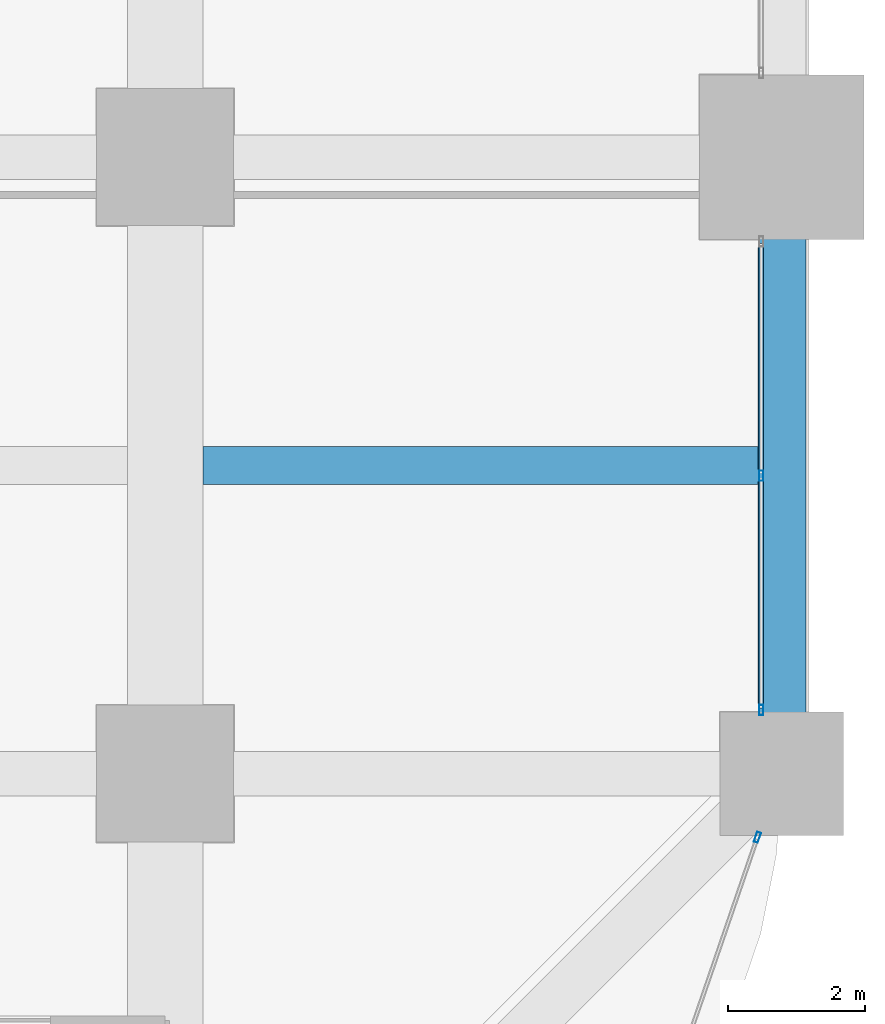
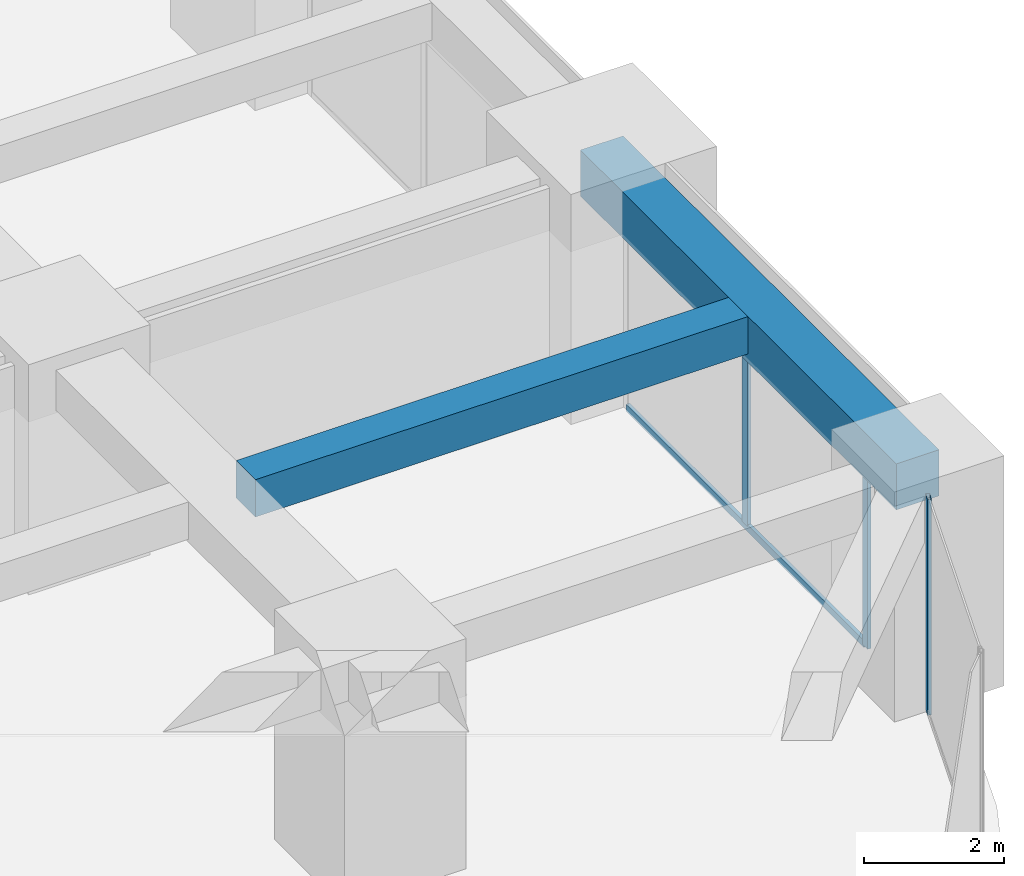
# One storey, part 19 of 41: 4 members, 2 beams, 2 elements without a shape of their own.
"""IFC4 building model written with IfcOpenShell, lengths in metres."""

from ifc_helpers import new_model, si_unit, direction, frame, origin, origin_2d, place, context, subcontext, project, spatial, rectangle, hollow_rectangle, extrude, material, material_profile, profile_set, type_object, element, aggregate, save


model = new_model("IFC4")

# Units and contexts
model_context = context("Model", 3, precision=1e-05, world=origin(), true_north=direction((0.0, 1.0)))
body_context = subcontext(model_context, "Body", "Model", "MODEL_VIEW")
ifc_project = project(units=[si_unit("LENGTHUNIT", "METRE"), si_unit("AREAUNIT", "SQUARE_METRE"), si_unit("VOLUMEUNIT", "CUBIC_METRE"), si_unit("PLANEANGLEUNIT", "RADIAN"), si_unit("MASSUNIT", "GRAM", prefix="KILO")], contexts=[model_context])

# Site, building, storey
site_placement = place(None, origin())
site = spatial("IfcSite", under=ifc_project, at=site_placement, CompositionType="ELEMENT")
building_placement = place(site_placement, origin())
building = spatial("IfcBuilding", under=site, at=building_placement, Name="Zorevar Civic Tower", CompositionType="ELEMENT")
storey_placement = place(building_placement, frame((0.0, 0.0, 97.0)))
storey = spatial("IfcBuildingStorey", under=building, at=storey_placement, Name="L23", CompositionType="ELEMENT", Elevation=97.0)

# Beam
ifc_material_1 = material(Name="Concrete C50/60", Category="concrete")
ifc_material_profile_1 = material_profile(ifc_material_1, rectangle(XDim=0.550048828125, YDim=0.64990234375, at=origin_2d()), Name="RC 550x650")
ifc_profile_set_1 = profile_set([ifc_material_profile_1], Name="Concrete C50/60")
beam_type_1 = type_object("IfcBeamType", Name="Beam RC 550x650", PredefinedType="BEAM", material=ifc_profile_set_1)
beam_1_placement = place(storey_placement, frame((54.550048828125, 13.5, 3.425048828125), z_axis=(1.0, 0.0, 0.0), x_axis=(0.0, 1.0, 0.0)))
element("IfcBeam", 1, at=beam_1_placement, inside=storey, type_object=beam_type_1, Name="Secondary beam L24", PredefinedType="BEAM", context=body_context, shape_type="SweptSolid", body=[
    extrude(rectangle(XDim=0.550048828125, YDim=0.64990234375, at=origin_2d()), origin(), (0.0, 0.0, 1.0), 8.099853515625),
])

# Curtain wall, members
ifc_material_2 = material(Name="Dark grey solar-control glass in black aluminium frame", Category="aluminium")
curtain_wall_type = type_object("IfcCurtainWallType", Name="Curtain wall CW3 mid zone", PredefinedType="NOTDEFINED", material=ifc_material_2)
curtain_wall_1_placement = place(storey_placement, origin())
curtain_wall_1 = element("IfcCurtainWall", 2, at=curtain_wall_1_placement, inside=storey, type_object=curtain_wall_type, Name="CW3 L23", PredefinedType="NOTDEFINED")
ifc_material_3 = material(Name="Aluminium, black anodised", Category="aluminium")
ifc_material_profile_2 = material_profile(ifc_material_3, hollow_rectangle(XDim=0.06005859375, YDim=0.14990234375, WallThickness=0.00390625, at=origin_2d()), Name="AL 150x60x4")
ifc_profile_set_2 = profile_set([ifc_material_profile_2], Name="Aluminium, black anodised")
member_type_1 = type_object("IfcMemberType", Name="CW3 mullion AL 150x60x4", PredefinedType="MULLION", material=ifc_profile_set_2)
member_1_placement = place(storey_placement, frame((62.699951171875, 9.929931640625, 0.0), z_axis=(0.0, 0.0, 1.0), x_axis=(-1.0, 0.0, 0.0)))
member_1 = element("IfcMember", 3, at=member_1_placement, type_object=member_type_1, Name="CW3 mullion 1", PredefinedType="MULLION", context=body_context, shape_type="SweptSolid", body=[
    extrude(hollow_rectangle(XDim=0.06005859375, YDim=0.14990234375, WallThickness=0.00390625, at=origin_2d()), origin(), (0.0, 0.0, 1.0), 2.949951171875),
])
member_2_placement = place(storey_placement, frame((62.699951171875, 13.35009765625, 0.06005859375), z_axis=(0.0, 0.0, 1.0), x_axis=(-1.0, 0.0, 0.0)))
member_2 = element("IfcMember", 4, at=member_2_placement, type_object=member_type_1, Name="CW3 mullion 2", PredefinedType="MULLION", context=body_context, shape_type="SweptSolid", body=[
    extrude(hollow_rectangle(XDim=0.06005859375, YDim=0.14990234375, WallThickness=0.00390625, at=origin_2d()), origin(), (0.0, 0.0, 1.0), 2.889892578125),
])

# Curtain wall, member
curtain_wall_2_placement = place(storey_placement, origin())
curtain_wall_2 = element("IfcCurtainWall", 5, at=curtain_wall_2_placement, inside=storey, type_object=curtain_wall_type, Name="CW3 L23", PredefinedType="NOTDEFINED")
member_3_placement = place(storey_placement, frame((62.6435546875, 8.071533203125, 0.0), z_axis=(0.0, 0.0, 1.0), x_axis=(-0.945755772794, 0.324878466857, 0.0)))
member_3 = element("IfcMember", 6, at=member_3_placement, type_object=member_type_1, Name="CW3 mullion 2", PredefinedType="MULLION", context=body_context, shape_type="SweptSolid", body=[
    extrude(hollow_rectangle(XDim=0.06005859375, YDim=0.14990234375, WallThickness=0.00390625, at=origin_2d()), origin(), (0.0, 0.0, 1.0), 3.75),
])
aggregate(curtain_wall_2, [member_3])

# Member
ifc_material_4 = material(Name="Aluminium, black anodised", Category="aluminium")
ifc_material_profile_3 = material_profile(ifc_material_4, hollow_rectangle(XDim=0.06005859375, YDim=0.1201171875, WallThickness=0.0029296875, at=origin_2d()), Name="AL 120x60x3")
ifc_profile_set_3 = profile_set([ifc_material_profile_3], Name="Aluminium, black anodised")
member_type_2 = type_object("IfcMemberType", Name="CW3 transom AL 120x60x3", PredefinedType="USERDEFINED", material=ifc_profile_set_3)
member_4_placement = place(storey_placement, frame((62.699951171875, 9.9599609375, 0.030029296875), z_axis=(0.0, 1.0, 0.0), x_axis=(-1.0, 0.0, 0.0)))
member_4 = element("IfcMember", 7, at=member_4_placement, type_object=member_type_2, Name="CW3 sill transom", ObjectType="TRANSOM", PredefinedType="USERDEFINED", context=body_context, shape_type="SweptSolid", body=[
    extrude(hollow_rectangle(XDim=0.06005859375, YDim=0.1201171875, WallThickness=0.0029296875, at=origin_2d()), origin(), (0.0, 0.0, 1.0), 6.780029296875),
])

aggregate(curtain_wall_1, [member_1, member_2, member_4])

# Beam
ifc_material_5 = material(Name="Concrete C50/60", Category="concrete")
ifc_material_profile_4 = material_profile(ifc_material_5, rectangle(XDim=0.699951171875, YDim=0.800048828125, at=origin_2d()), Name="RC 700x800")
ifc_profile_set_4 = profile_set([ifc_material_profile_4], Name="Concrete C50/60")
beam_type_2 = type_object("IfcBeamType", Name="Edge beam RC 700x800", PredefinedType="SPANDREL", material=ifc_profile_set_4)
beam_2_placement = place(storey_placement, frame((63.0, 9.0, 3.35009765625), z_axis=(0.0, 1.0, 0.0), x_axis=(-1.0, 0.0, 0.0)))
element("IfcBeam", 8, at=beam_2_placement, inside=storey, type_object=beam_type_2, Name="Edge beam L24", PredefinedType="SPANDREL", context=body_context, shape_type="SweptSolid", body=[
    extrude(rectangle(XDim=0.699951171875, YDim=0.800048828125, at=origin_2d()), origin(), (0.0, 0.0, 1.0), 9.0),
])

save(model, "model.ifc")
